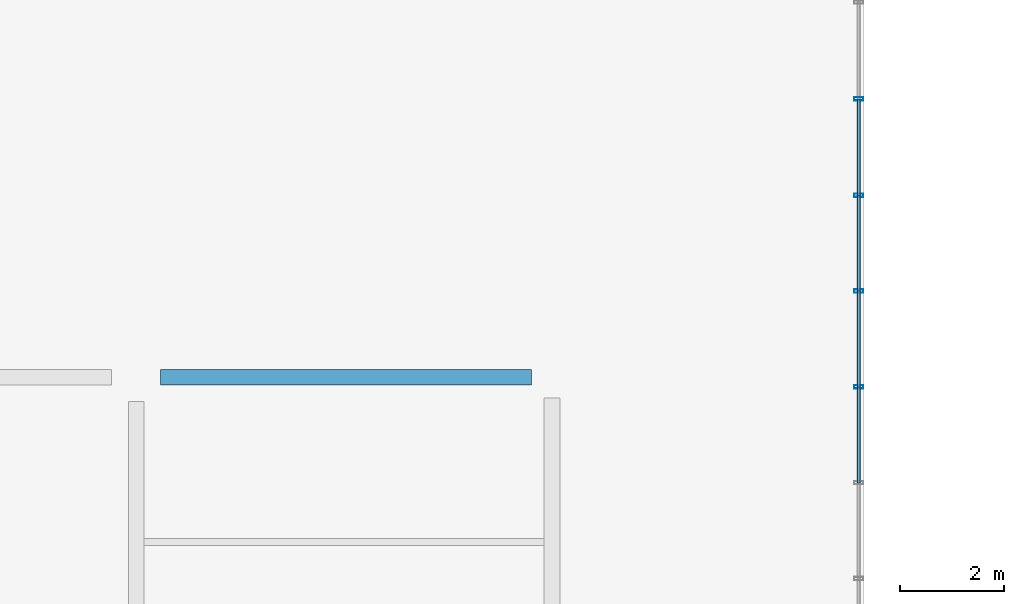
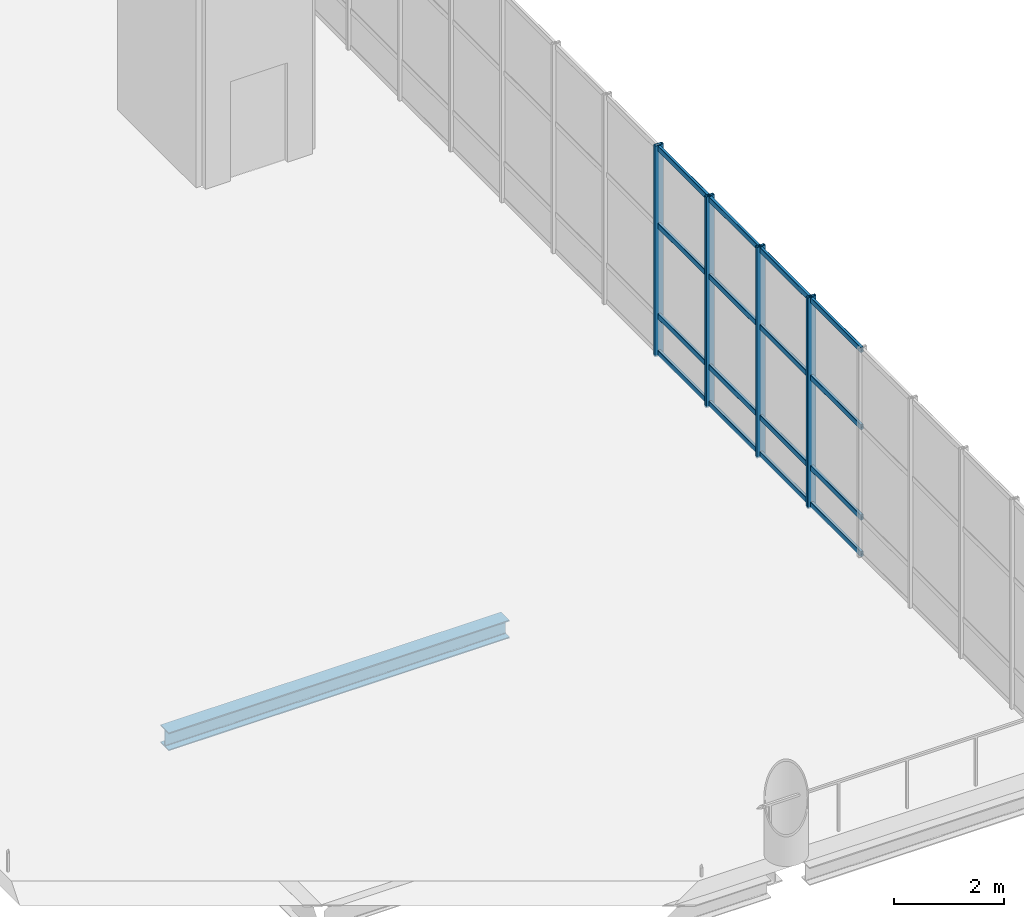
# One storey, part 58 of 176: 20 members, 1 beam, 2 elements without a shape of their own.
"""IFC4 building model written with IfcOpenShell, lengths in metres."""

from ifc_helpers import new_model, si_unit, direction, frame, origin, origin_2d, place, context, subcontext, project, spatial, hollow_rectangle, i_section, extrude, material, layer, layer_set, material_profile, profile_set, type_object, element, aggregate, save


model = new_model("IFC4")

# Units and contexts
model_context = context("Model", 3, precision=1e-05, world=origin(), true_north=direction((0.0, 1.0)))
body_context = subcontext(model_context, "Body", "Model", "MODEL_VIEW")
ifc_project = project(units=[si_unit("LENGTHUNIT", "METRE"), si_unit("AREAUNIT", "SQUARE_METRE"), si_unit("VOLUMEUNIT", "CUBIC_METRE"), si_unit("PLANEANGLEUNIT", "RADIAN"), si_unit("MASSUNIT", "GRAM", prefix="KILO")], contexts=[model_context])

# Site, building, storey
site_placement = place(None, origin())
site = spatial("IfcSite", under=ifc_project, at=site_placement, CompositionType="ELEMENT")
building_placement = place(site_placement, origin())
building = spatial("IfcBuilding", under=site, at=building_placement, Name="Khorjan Park Terminus", CompositionType="ELEMENT")
storey_placement = place(building_placement, frame((0.0, 0.0, 6.0)))
storey = spatial("IfcBuildingStorey", under=building, at=storey_placement, Name="L01", CompositionType="ELEMENT", Elevation=6.0)

# Beam
ifc_material_1 = material(Name="Steel S355", Category="steel")
ifc_material_profile_1 = material_profile(ifc_material_1, i_section(OverallWidth=0.3, OverallDepth=0.4, WebThickness=0.0135, FlangeThickness=0.024, FilletRadius=0.027, at=origin_2d()), Name="HEB 400")
ifc_profile_set_1 = profile_set([ifc_material_profile_1], Name="Steel S355")
beam_type = type_object("IfcBeamType", Name="BM-HEB400", PredefinedType="BEAM", material=ifc_profile_set_1)
beam_placement = place(storey_placement, frame((72.47, 111.5, -0.56), z_axis=(1.0, 0.0, 0.0), x_axis=(0.0, 1.0, 0.0)))
element("IfcBeam", 1, at=beam_placement, inside=storey, type_object=beam_type, Name="Primary floor girder SB-B40 (L01)", PredefinedType="BEAM", context=body_context, shape_type="SweptSolid", body=[
    extrude(i_section(OverallWidth=0.3, OverallDepth=0.4, WebThickness=0.0135, FlangeThickness=0.024, FilletRadius=0.027, at=origin_2d()), origin(), (0.0, 0.0, 1.0), 7.135),
])

# Curtain wall, members
ifc_material_2 = material(Name="Anodized Bronze Aluminium", Category="aluminium")
ifc_layer = layer(ifc_material_2, 0.22)
ifc_layer_set = layer_set([ifc_layer], Name="Anodized Bronze Aluminium")
curtain_wall_type = type_object("IfcCurtainWallType", Name="CW-BRG-D", PredefinedType="NOTDEFINED", material=ifc_layer_set)
curtain_wall_1_placement = place(storey_placement, origin())
curtain_wall_1 = element("IfcCurtainWall", 2, at=curtain_wall_1_placement, inside=storey, type_object=curtain_wall_type, Name="Unitized curtain wall CW-D (CW-BRW-E-1)", PredefinedType="NOTDEFINED")
ifc_material_profile_2 = material_profile(ifc_material_2, hollow_rectangle(XDim=0.065, YDim=0.18, WallThickness=0.004, InnerFilletRadius=0.004, OuterFilletRadius=0.008, at=origin_2d()), Name="ALM 65x180x4")
ifc_profile_set_2 = profile_set([ifc_material_profile_2], Name="Anodized Bronze Aluminium")
member_type_1 = type_object("IfcMemberType", Name="ML-ALM-180", PredefinedType="MULLION", material=ifc_profile_set_2)
member_1_placement = place(storey_placement, frame((85.9, 111.3143, -0.035), z_axis=(0.0, 0.0, 1.0), x_axis=(0.0, 1.0, 0.0)))
member_1 = element("IfcMember", 3, at=member_1_placement, type_object=member_type_1, Name="Curtain-wall mullion ML-18 (CW-BRW-E-1-5)", PredefinedType="MULLION", context=body_context, shape_type="SweptSolid", body=[
    extrude(hollow_rectangle(XDim=0.065, YDim=0.18, WallThickness=0.004, InnerFilletRadius=0.004, OuterFilletRadius=0.008, at=origin_2d()), origin(), (0.0, 0.0, 1.0), 4.67),
])
member_2_placement = place(storey_placement, frame((85.9, 113.1571, -0.035), z_axis=(0.0, 0.0, 1.0), x_axis=(0.0, 1.0, 0.0)))
member_2 = element("IfcMember", 4, at=member_2_placement, type_object=member_type_1, Name="Curtain-wall mullion ML-18 (CW-BRW-E-1-6)", PredefinedType="MULLION", context=body_context, shape_type="SweptSolid", body=[
    extrude(hollow_rectangle(XDim=0.065, YDim=0.18, WallThickness=0.004, InnerFilletRadius=0.004, OuterFilletRadius=0.008, at=origin_2d()), origin(), (0.0, 0.0, 1.0), 4.67),
])
member_3_placement = place(storey_placement, frame((85.9, 115.0, -0.035), z_axis=(0.0, 0.0, 1.0), x_axis=(0.0, 1.0, 0.0)))
member_3 = element("IfcMember", 5, at=member_3_placement, type_object=member_type_1, Name="Curtain-wall mullion ML-18 (CW-BRW-E-1-7)", PredefinedType="MULLION", context=body_context, shape_type="SweptSolid", body=[
    extrude(hollow_rectangle(XDim=0.065, YDim=0.18, WallThickness=0.004, InnerFilletRadius=0.004, OuterFilletRadius=0.008, at=origin_2d()), origin(), (0.0, 0.0, 1.0), 4.67),
])

# Curtain wall, member
curtain_wall_2_placement = place(storey_placement, origin())
curtain_wall_2 = element("IfcCurtainWall", 6, at=curtain_wall_2_placement, inside=storey, type_object=curtain_wall_type, Name="Unitized curtain wall CW-D (CW-BRW-E-2)", PredefinedType="NOTDEFINED")
member_4_placement = place(storey_placement, frame((85.9, 116.8571, -0.035), z_axis=(0.0, 0.0, 1.0), x_axis=(0.0, 1.0, 0.0)))
member_4 = element("IfcMember", 7, at=member_4_placement, type_object=member_type_1, Name="Curtain-wall mullion ML-18 (CW-BRW-E-2-1)", PredefinedType="MULLION", context=body_context, shape_type="SweptSolid", body=[
    extrude(hollow_rectangle(XDim=0.065, YDim=0.18, WallThickness=0.004, InnerFilletRadius=0.004, OuterFilletRadius=0.008, at=origin_2d()), origin(), (0.0, 0.0, 1.0), 4.67),
])

# Member
ifc_material_profile_3 = material_profile(ifc_material_2, hollow_rectangle(XDim=0.06, YDim=0.12, WallThickness=0.004, InnerFilletRadius=0.004, OuterFilletRadius=0.008, at=origin_2d()), Name="ALT 60x120x4")
ifc_profile_set_3 = profile_set([ifc_material_profile_3], Name="Anodized Bronze Aluminium")
member_type_2 = type_object("IfcMemberType", Name="TR-ALT-120", PredefinedType="USERDEFINED", material=ifc_profile_set_3)
member_5_placement = place(storey_placement, frame((85.9, 109.4714, 0.04), z_axis=(0.0, 1.0, 0.0), x_axis=(-1.0, 0.0, 0.0)))
member_5 = element("IfcMember", 8, at=member_5_placement, type_object=member_type_2, Name="Curtain-wall transom TR-12 (CW-BRW-E-1-4-1)", ObjectType="TRANSOM", PredefinedType="USERDEFINED", context=body_context, shape_type="SweptSolid", body=[
    extrude(hollow_rectangle(XDim=0.06, YDim=0.12, WallThickness=0.004, InnerFilletRadius=0.004, OuterFilletRadius=0.008, at=origin_2d()), origin(), (0.0, 0.0, 1.0), 1.8429),
])

member_6_placement = place(storey_placement, frame((85.9, 109.4714, 0.85), z_axis=(0.0, 1.0, 0.0), x_axis=(-1.0, 0.0, 0.0)))
member_6 = element("IfcMember", 9, at=member_6_placement, type_object=member_type_2, Name="Curtain-wall transom TR-12 (CW-BRW-E-1-4-2)", ObjectType="TRANSOM", PredefinedType="USERDEFINED", context=body_context, shape_type="SweptSolid", body=[
    extrude(hollow_rectangle(XDim=0.06, YDim=0.12, WallThickness=0.004, InnerFilletRadius=0.004, OuterFilletRadius=0.008, at=origin_2d()), origin(), (0.0, 0.0, 1.0), 1.8429),
])

member_7_placement = place(storey_placement, frame((85.9, 109.4714, 2.852), z_axis=(0.0, 1.0, 0.0), x_axis=(-1.0, 0.0, 0.0)))
member_7 = element("IfcMember", 10, at=member_7_placement, type_object=member_type_2, Name="Curtain-wall transom TR-12 (CW-BRW-E-1-4-3)", ObjectType="TRANSOM", PredefinedType="USERDEFINED", context=body_context, shape_type="SweptSolid", body=[
    extrude(hollow_rectangle(XDim=0.06, YDim=0.12, WallThickness=0.004, InnerFilletRadius=0.004, OuterFilletRadius=0.008, at=origin_2d()), origin(), (0.0, 0.0, 1.0), 1.8429),
])

member_8_placement = place(storey_placement, frame((85.9, 109.4714, 4.56), z_axis=(0.0, 1.0, 0.0), x_axis=(-1.0, 0.0, 0.0)))
member_8 = element("IfcMember", 11, at=member_8_placement, type_object=member_type_2, Name="Curtain-wall transom TR-12 (CW-BRW-E-1-4-4)", ObjectType="TRANSOM", PredefinedType="USERDEFINED", context=body_context, shape_type="SweptSolid", body=[
    extrude(hollow_rectangle(XDim=0.06, YDim=0.12, WallThickness=0.004, InnerFilletRadius=0.004, OuterFilletRadius=0.008, at=origin_2d()), origin(), (0.0, 0.0, 1.0), 1.8429),
])

member_9_placement = place(storey_placement, frame((85.9, 111.3143, 0.04), z_axis=(0.0, 1.0, 0.0), x_axis=(-1.0, 0.0, 0.0)))
member_9 = element("IfcMember", 12, at=member_9_placement, type_object=member_type_2, Name="Curtain-wall transom TR-12 (CW-BRW-E-1-5-1)", ObjectType="TRANSOM", PredefinedType="USERDEFINED", context=body_context, shape_type="SweptSolid", body=[
    extrude(hollow_rectangle(XDim=0.06, YDim=0.12, WallThickness=0.004, InnerFilletRadius=0.004, OuterFilletRadius=0.008, at=origin_2d()), origin(), (0.0, 0.0, 1.0), 1.8428),
])

member_10_placement = place(storey_placement, frame((85.9, 111.3143, 0.85), z_axis=(0.0, 1.0, 0.0), x_axis=(-1.0, 0.0, 0.0)))
member_10 = element("IfcMember", 13, at=member_10_placement, type_object=member_type_2, Name="Curtain-wall transom TR-12 (CW-BRW-E-1-5-2)", ObjectType="TRANSOM", PredefinedType="USERDEFINED", context=body_context, shape_type="SweptSolid", body=[
    extrude(hollow_rectangle(XDim=0.06, YDim=0.12, WallThickness=0.004, InnerFilletRadius=0.004, OuterFilletRadius=0.008, at=origin_2d()), origin(), (0.0, 0.0, 1.0), 1.8428),
])

member_11_placement = place(storey_placement, frame((85.9, 111.3143, 2.852), z_axis=(0.0, 1.0, 0.0), x_axis=(-1.0, 0.0, 0.0)))
member_11 = element("IfcMember", 14, at=member_11_placement, type_object=member_type_2, Name="Curtain-wall transom TR-12 (CW-BRW-E-1-5-3)", ObjectType="TRANSOM", PredefinedType="USERDEFINED", context=body_context, shape_type="SweptSolid", body=[
    extrude(hollow_rectangle(XDim=0.06, YDim=0.12, WallThickness=0.004, InnerFilletRadius=0.004, OuterFilletRadius=0.008, at=origin_2d()), origin(), (0.0, 0.0, 1.0), 1.8428),
])

member_12_placement = place(storey_placement, frame((85.9, 111.3143, 4.56), z_axis=(0.0, 1.0, 0.0), x_axis=(-1.0, 0.0, 0.0)))
member_12 = element("IfcMember", 15, at=member_12_placement, type_object=member_type_2, Name="Curtain-wall transom TR-12 (CW-BRW-E-1-5-4)", ObjectType="TRANSOM", PredefinedType="USERDEFINED", context=body_context, shape_type="SweptSolid", body=[
    extrude(hollow_rectangle(XDim=0.06, YDim=0.12, WallThickness=0.004, InnerFilletRadius=0.004, OuterFilletRadius=0.008, at=origin_2d()), origin(), (0.0, 0.0, 1.0), 1.8428),
])

member_13_placement = place(storey_placement, frame((85.9, 113.1571, 0.04), z_axis=(0.0, 1.0, 0.0), x_axis=(-1.0, 0.0, 0.0)))
member_13 = element("IfcMember", 16, at=member_13_placement, type_object=member_type_2, Name="Curtain-wall transom TR-12 (CW-BRW-E-1-6-1)", ObjectType="TRANSOM", PredefinedType="USERDEFINED", context=body_context, shape_type="SweptSolid", body=[
    extrude(hollow_rectangle(XDim=0.06, YDim=0.12, WallThickness=0.004, InnerFilletRadius=0.004, OuterFilletRadius=0.008, at=origin_2d()), origin(), (0.0, 0.0, 1.0), 1.8429),
])

member_14_placement = place(storey_placement, frame((85.9, 113.1571, 0.85), z_axis=(0.0, 1.0, 0.0), x_axis=(-1.0, 0.0, 0.0)))
member_14 = element("IfcMember", 17, at=member_14_placement, type_object=member_type_2, Name="Curtain-wall transom TR-12 (CW-BRW-E-1-6-2)", ObjectType="TRANSOM", PredefinedType="USERDEFINED", context=body_context, shape_type="SweptSolid", body=[
    extrude(hollow_rectangle(XDim=0.06, YDim=0.12, WallThickness=0.004, InnerFilletRadius=0.004, OuterFilletRadius=0.008, at=origin_2d()), origin(), (0.0, 0.0, 1.0), 1.8429),
])

member_15_placement = place(storey_placement, frame((85.9, 113.1571, 2.852), z_axis=(0.0, 1.0, 0.0), x_axis=(-1.0, 0.0, 0.0)))
member_15 = element("IfcMember", 18, at=member_15_placement, type_object=member_type_2, Name="Curtain-wall transom TR-12 (CW-BRW-E-1-6-3)", ObjectType="TRANSOM", PredefinedType="USERDEFINED", context=body_context, shape_type="SweptSolid", body=[
    extrude(hollow_rectangle(XDim=0.06, YDim=0.12, WallThickness=0.004, InnerFilletRadius=0.004, OuterFilletRadius=0.008, at=origin_2d()), origin(), (0.0, 0.0, 1.0), 1.8429),
])

member_16_placement = place(storey_placement, frame((85.9, 113.1571, 4.56), z_axis=(0.0, 1.0, 0.0), x_axis=(-1.0, 0.0, 0.0)))
member_16 = element("IfcMember", 19, at=member_16_placement, type_object=member_type_2, Name="Curtain-wall transom TR-12 (CW-BRW-E-1-6-4)", ObjectType="TRANSOM", PredefinedType="USERDEFINED", context=body_context, shape_type="SweptSolid", body=[
    extrude(hollow_rectangle(XDim=0.06, YDim=0.12, WallThickness=0.004, InnerFilletRadius=0.004, OuterFilletRadius=0.008, at=origin_2d()), origin(), (0.0, 0.0, 1.0), 1.8429),
])

aggregate(curtain_wall_1, [member_1, member_2, member_3, member_5, member_6, member_7, member_8, member_9, member_10, member_11, member_12, member_13, member_14, member_15, member_16])

member_17_placement = place(storey_placement, frame((85.9, 115.0, 0.04), z_axis=(0.0, 1.0, 0.0), x_axis=(-1.0, 0.0, 0.0)))
member_17 = element("IfcMember", 20, at=member_17_placement, type_object=member_type_2, Name="Curtain-wall transom TR-12 (CW-BRW-E-2-0-1)", ObjectType="TRANSOM", PredefinedType="USERDEFINED", context=body_context, shape_type="SweptSolid", body=[
    extrude(hollow_rectangle(XDim=0.06, YDim=0.12, WallThickness=0.004, InnerFilletRadius=0.004, OuterFilletRadius=0.008, at=origin_2d()), origin(), (0.0, 0.0, 1.0), 1.8571),
])

member_18_placement = place(storey_placement, frame((85.9, 115.0, 0.85), z_axis=(0.0, 1.0, 0.0), x_axis=(-1.0, 0.0, 0.0)))
member_18 = element("IfcMember", 21, at=member_18_placement, type_object=member_type_2, Name="Curtain-wall transom TR-12 (CW-BRW-E-2-0-2)", ObjectType="TRANSOM", PredefinedType="USERDEFINED", context=body_context, shape_type="SweptSolid", body=[
    extrude(hollow_rectangle(XDim=0.06, YDim=0.12, WallThickness=0.004, InnerFilletRadius=0.004, OuterFilletRadius=0.008, at=origin_2d()), origin(), (0.0, 0.0, 1.0), 1.8571),
])

member_19_placement = place(storey_placement, frame((85.9, 115.0, 2.852), z_axis=(0.0, 1.0, 0.0), x_axis=(-1.0, 0.0, 0.0)))
member_19 = element("IfcMember", 22, at=member_19_placement, type_object=member_type_2, Name="Curtain-wall transom TR-12 (CW-BRW-E-2-0-3)", ObjectType="TRANSOM", PredefinedType="USERDEFINED", context=body_context, shape_type="SweptSolid", body=[
    extrude(hollow_rectangle(XDim=0.06, YDim=0.12, WallThickness=0.004, InnerFilletRadius=0.004, OuterFilletRadius=0.008, at=origin_2d()), origin(), (0.0, 0.0, 1.0), 1.8571),
])

member_20_placement = place(storey_placement, frame((85.9, 115.0, 4.56), z_axis=(0.0, 1.0, 0.0), x_axis=(-1.0, 0.0, 0.0)))
member_20 = element("IfcMember", 23, at=member_20_placement, type_object=member_type_2, Name="Curtain-wall transom TR-12 (CW-BRW-E-2-0-4)", ObjectType="TRANSOM", PredefinedType="USERDEFINED", context=body_context, shape_type="SweptSolid", body=[
    extrude(hollow_rectangle(XDim=0.06, YDim=0.12, WallThickness=0.004, InnerFilletRadius=0.004, OuterFilletRadius=0.008, at=origin_2d()), origin(), (0.0, 0.0, 1.0), 1.8571),
])

aggregate(curtain_wall_2, [member_4, member_17, member_18, member_19, member_20])

save(model, "model.ifc")
